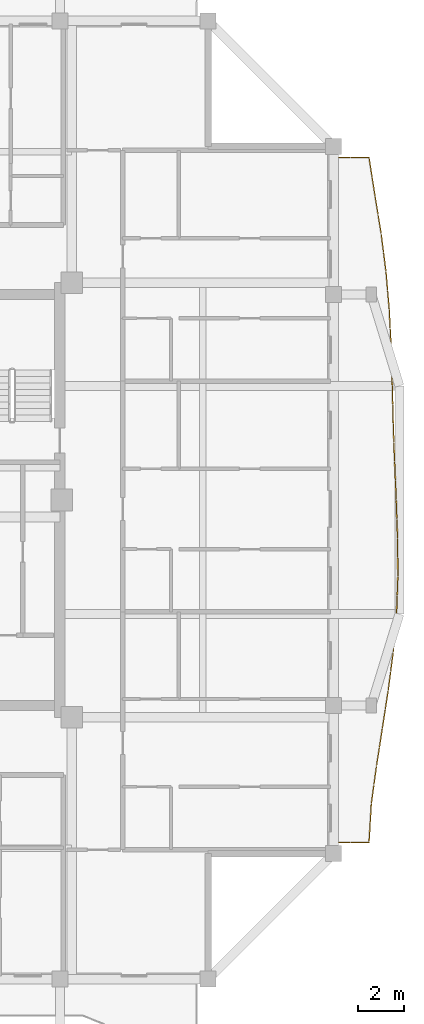
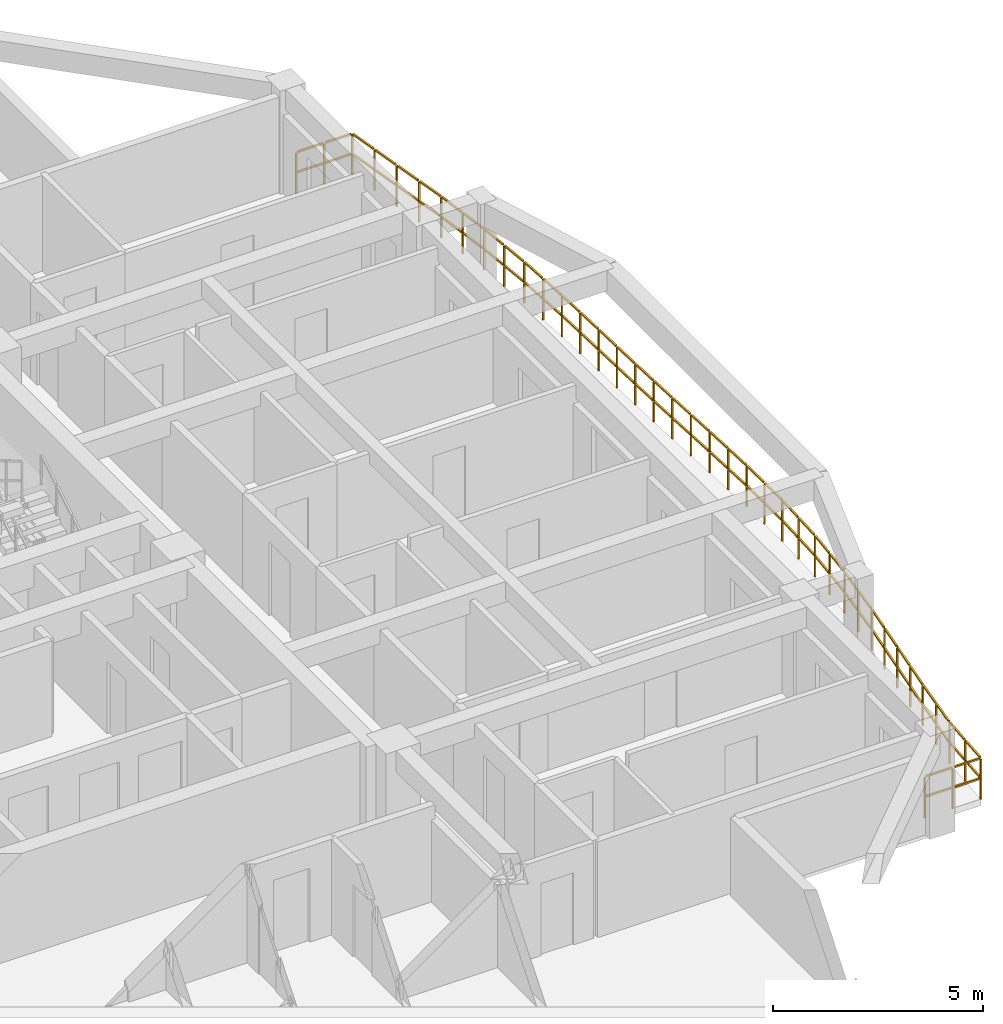
# One storey, part 13 of 14: 1 railing.
"""IFC4 building model written with IfcOpenShell, lengths in metres."""

from ifc_helpers import new_model, si_unit, direction, frame, origin, origin_2d, place, context, subcontext, project, spatial, rectangle, extrude, material, type_object, element, save


model = new_model("IFC4")

# Units and contexts
model_context = context("Model", 3, precision=1e-05, world=origin(), true_north=direction((0.0, 1.0)))
body_context = subcontext(model_context, "Body", "Model", "MODEL_VIEW")
ifc_project = project(units=[si_unit("LENGTHUNIT", "METRE"), si_unit("AREAUNIT", "SQUARE_METRE"), si_unit("VOLUMEUNIT", "CUBIC_METRE"), si_unit("PLANEANGLEUNIT", "RADIAN"), si_unit("MASSUNIT", "GRAM", prefix="KILO")], contexts=[model_context])

# Site, building, storey
site_placement = place(None, origin())
site = spatial("IfcSite", under=ifc_project, at=site_placement, CompositionType="ELEMENT")
building_placement = place(site_placement, origin())
building = spatial("IfcBuilding", under=site, at=building_placement, Name="Saelheon Loggia Tower", CompositionType="ELEMENT")
storey_placement = place(building_placement, frame((0.0, 0.0, 210.300048828125)))
storey = spatial("IfcBuildingStorey", under=building, at=storey_placement, Name="L65", CompositionType="ELEMENT", Elevation=210.300048828125)

# Railing
ifc_material = material(Name="Architectural Precast Concrete and Laminated Glass Guard", Category="concrete")
railing_type = type_object("IfcRailingType", Name="Guard_Loggia_RL_LOG", PredefinedType="BALUSTRADE", material=ifc_material)
railing_placement = place(storey_placement, frame((56.5, 12.0, 0.0)))
element("IfcRailing", 1, at=railing_placement, inside=storey, type_object=railing_type, Name="L65 East Loggia Balustrade", PredefinedType="BALUSTRADE", context=body_context, shape_type="SweptSolid", body=[
    extrude(rectangle(XDim=0.048095703125, YDim=0.048095703125, at=origin_2d()), frame((0.033203125, 0.0, 1.19580078125), z_axis=(1.0, 0.0, 0.0), x_axis=(0.0, 1.0, 0.0)), (0.0, 0.0, 1.0), 0.70849609375),
    extrude(rectangle(XDim=0.048095703125, YDim=0.048095703125, at=origin_2d()), frame((0.033203125, 0.0, 0.60986328125), z_axis=(1.0, 0.0, 0.0), x_axis=(0.0, 1.0, 0.0)), (0.0, 0.0, 1.0), 0.70849609375),
    extrude(rectangle(XDim=0.048095703125, YDim=0.048095703125, at=origin_2d()), frame((0.808349609375, 0.0, 1.19580078125), z_axis=(1.0, 0.0, 0.0), x_axis=(0.0, 1.0, 0.0)), (0.0, 0.0, 1.0), 0.70849609375),
    extrude(rectangle(XDim=0.048095703125, YDim=0.048095703125, at=origin_2d()), frame((0.808349609375, 0.0, 0.60986328125), z_axis=(1.0, 0.0, 0.0), x_axis=(0.0, 1.0, 0.0)), (0.0, 0.0, 1.0), 0.70849609375),
    extrude(rectangle(XDim=0.048095703125, YDim=0.048095703125, at=origin_2d()), frame((1.552001953125, 0.033203125, 1.19580078125), z_axis=(0.058490579202, 0.998287960533, 0.0), x_axis=(-0.998287960533, 0.058490579202, 0.0)), (0.0, 0.0, 1.0), 0.768310546875),
    extrude(rectangle(XDim=0.048095703125, YDim=0.048095703125, at=origin_2d()), frame((1.552001953125, 0.033203125, 0.60986328125), z_axis=(0.058490579202, 0.998287960533, 0.0), x_axis=(-0.998287960533, 0.058490579202, 0.0)), (0.0, 0.0, 1.0), 0.768310546875),
    extrude(rectangle(XDim=0.048095703125, YDim=0.048095703125, at=origin_2d()), frame((1.600830078125, 0.866455078125, 1.19580078125), z_axis=(0.058490579202, 0.998287960533, 0.0), x_axis=(-0.998287960533, 0.058490579202, 0.0)), (0.0, 0.0, 1.0), 0.768310546875),
    extrude(rectangle(XDim=0.048095703125, YDim=0.048095703125, at=origin_2d()), frame((1.600830078125, 0.866455078125, 0.60986328125), z_axis=(0.058490579202, 0.998287960533, 0.0), x_axis=(-0.998287960533, 0.058490579202, 0.0)), (0.0, 0.0, 1.0), 0.768310546875),
    extrude(rectangle(XDim=0.048095703125, YDim=0.048095703125, at=origin_2d()), frame((1.652099609375, 1.69970703125, 1.19580078125), z_axis=(0.13556658858, 0.990768237309, 0.0), x_axis=(-0.990768237309, 0.13556658858, 0.0)), (0.0, 0.0, 1.0), 0.774658203125),
    extrude(rectangle(XDim=0.048095703125, YDim=0.048095703125, at=origin_2d()), frame((1.652099609375, 1.69970703125, 0.60986328125), z_axis=(0.13556658858, 0.990768237309, 0.0), x_axis=(-0.990768237309, 0.13556658858, 0.0)), (0.0, 0.0, 1.0), 0.774658203125),
    extrude(rectangle(XDim=0.048095703125, YDim=0.048095703125, at=origin_2d()), frame((1.76611328125, 2.532958984375, 1.19580078125), z_axis=(0.13556658858, 0.990768237309, 0.0), x_axis=(-0.990768237309, 0.13556658858, 0.0)), (0.0, 0.0, 1.0), 0.774658203125),
    extrude(rectangle(XDim=0.048095703125, YDim=0.048095703125, at=origin_2d()), frame((1.76611328125, 2.532958984375, 0.60986328125), z_axis=(0.13556658858, 0.990768237309, 0.0), x_axis=(-0.990768237309, 0.13556658858, 0.0)), (0.0, 0.0, 1.0), 0.774658203125),
    extrude(rectangle(XDim=0.048095703125, YDim=0.048095703125, at=origin_2d()), frame((1.880859375, 3.3662109375, 1.19580078125), z_axis=(0.15356882512, 0.988137953907, 0.0), x_axis=(-0.988137953907, 0.15356882512, 0.0)), (0.0, 0.0, 1.0), 0.77685546875),
    extrude(rectangle(XDim=0.048095703125, YDim=0.048095703125, at=origin_2d()), frame((1.880859375, 3.3662109375, 0.60986328125), z_axis=(0.15356882512, 0.988137953907, 0.0), x_axis=(-0.988137953907, 0.15356882512, 0.0)), (0.0, 0.0, 1.0), 0.77685546875),
    extrude(rectangle(XDim=0.048095703125, YDim=0.048095703125, at=origin_2d()), frame((2.01025390625, 4.199462890625, 1.19580078125), z_axis=(0.15356882512, 0.988137953907, 0.0), x_axis=(-0.988137953907, 0.15356882512, 0.0)), (0.0, 0.0, 1.0), 0.77685546875),
    extrude(rectangle(XDim=0.048095703125, YDim=0.048095703125, at=origin_2d()), frame((2.01025390625, 4.199462890625, 0.60986328125), z_axis=(0.15356882512, 0.988137953907, 0.0), x_axis=(-0.988137953907, 0.15356882512, 0.0)), (0.0, 0.0, 1.0), 0.77685546875),
    extrude(rectangle(XDim=0.048095703125, YDim=0.048095703125, at=origin_2d()), frame((2.139892578125, 5.032958984375, 1.19580078125), z_axis=(0.152579310922, 0.988291229283, 0.0), x_axis=(-0.988291229283, 0.152579310922, 0.0)), (0.0, 0.0, 1.0), 0.77685546875),
    extrude(rectangle(XDim=0.048095703125, YDim=0.048095703125, at=origin_2d()), frame((2.139892578125, 5.032958984375, 0.60986328125), z_axis=(0.152579310922, 0.988291229283, 0.0), x_axis=(-0.988291229283, 0.152579310922, 0.0)), (0.0, 0.0, 1.0), 0.77685546875),
    extrude(rectangle(XDim=0.048095703125, YDim=0.048095703125, at=origin_2d()), frame((2.2685546875, 5.8662109375, 1.19580078125), z_axis=(0.152579310922, 0.988291229283, 0.0), x_axis=(-0.988291229283, 0.152579310922, 0.0)), (0.0, 0.0, 1.0), 0.77685546875),
    extrude(rectangle(XDim=0.048095703125, YDim=0.048095703125, at=origin_2d()), frame((2.2685546875, 5.8662109375, 0.60986328125), z_axis=(0.152579310922, 0.988291229283, 0.0), x_axis=(-0.988291229283, 0.152579310922, 0.0)), (0.0, 0.0, 1.0), 0.77685546875),
    extrude(rectangle(XDim=0.048095703125, YDim=0.048095703125, at=origin_2d()), frame((2.396484375, 6.69970703125, 1.19580078125), z_axis=(0.128718073228, 0.991681227827, 0.0), x_axis=(-0.991681227827, 0.128718073228, 0.0)), (0.0, 0.0, 1.0), 0.773681640625),
    extrude(rectangle(XDim=0.048095703125, YDim=0.048095703125, at=origin_2d()), frame((2.396484375, 6.69970703125, 0.60986328125), z_axis=(0.128718073228, 0.991681227827, 0.0), x_axis=(-0.991681227827, 0.128718073228, 0.0)), (0.0, 0.0, 1.0), 0.773681640625),
    extrude(rectangle(XDim=0.048095703125, YDim=0.048095703125, at=origin_2d()), frame((2.504638671875, 7.532958984375, 1.19580078125), z_axis=(0.128718073228, 0.991681227827, 0.0), x_axis=(-0.991681227827, 0.128718073228, 0.0)), (0.0, 0.0, 1.0), 0.773681640625),
    extrude(rectangle(XDim=0.048095703125, YDim=0.048095703125, at=origin_2d()), frame((2.504638671875, 7.532958984375, 0.60986328125), z_axis=(0.128718073228, 0.991681227827, 0.0), x_axis=(-0.991681227827, 0.128718073228, 0.0)), (0.0, 0.0, 1.0), 0.773681640625),
    extrude(rectangle(XDim=0.048095703125, YDim=0.048095703125, at=origin_2d()), frame((2.611328125, 8.366455078125, 1.19580078125), z_axis=(0.085810916516, 0.996311440568, 0.0), x_axis=(-0.996311440568, 0.085810916516, 0.0)), (0.0, 0.0, 1.0), 0.77001953125),
    extrude(rectangle(XDim=0.048095703125, YDim=0.048095703125, at=origin_2d()), frame((2.611328125, 8.366455078125, 0.60986328125), z_axis=(0.085810916516, 0.996311440568, 0.0), x_axis=(-0.996311440568, 0.085810916516, 0.0)), (0.0, 0.0, 1.0), 0.77001953125),
    extrude(rectangle(XDim=0.048095703125, YDim=0.048095703125, at=origin_2d()), frame((2.68310546875, 9.19970703125, 1.19580078125), z_axis=(0.085810916516, 0.996311440568, 0.0), x_axis=(-0.996311440568, 0.085810916516, 0.0)), (0.0, 0.0, 1.0), 0.77001953125),
    extrude(rectangle(XDim=0.048095703125, YDim=0.048095703125, at=origin_2d()), frame((2.68310546875, 9.19970703125, 0.60986328125), z_axis=(0.085810916516, 0.996311440568, 0.0), x_axis=(-0.996311440568, 0.085810916516, 0.0)), (0.0, 0.0, 1.0), 0.77001953125),
    extrude(rectangle(XDim=0.048095703125, YDim=0.048095703125, at=origin_2d()), frame((2.753173828125, 10.033203125, 1.19580078125), z_axis=(0.035132830873, 0.999382651538, 0.0), x_axis=(-0.999382651538, 0.035132830873, 0.0)), (0.0, 0.0, 1.0), 0.767333984375),
    extrude(rectangle(XDim=0.048095703125, YDim=0.048095703125, at=origin_2d()), frame((2.753173828125, 10.033203125, 0.60986328125), z_axis=(0.035132830873, 0.999382651538, 0.0), x_axis=(-0.999382651538, 0.035132830873, 0.0)), (0.0, 0.0, 1.0), 0.767333984375),
    extrude(rectangle(XDim=0.048095703125, YDim=0.048095703125, at=origin_2d()), frame((2.782470703125, 10.86669921875, 1.19580078125), z_axis=(0.035132830873, 0.999382651538, 0.0), x_axis=(-0.999382651538, 0.035132830873, 0.0)), (0.0, 0.0, 1.0), 0.767333984375),
    extrude(rectangle(XDim=0.048095703125, YDim=0.048095703125, at=origin_2d()), frame((2.782470703125, 10.86669921875, 0.60986328125), z_axis=(0.035132830873, 0.999382651538, 0.0), x_axis=(-0.999382651538, 0.035132830873, 0.0)), (0.0, 0.0, 1.0), 0.767333984375),
    extrude(rectangle(XDim=0.048095703125, YDim=0.048095703125, at=origin_2d()), frame((2.810302734375, 11.699951171875, 1.19580078125), z_axis=(-0.008496616815, 0.9999639031, 0.0), x_axis=(-0.9999639031, -0.008496616815, 0.0)), (0.0, 0.0, 1.0), 0.766845703125),
    extrude(rectangle(XDim=0.048095703125, YDim=0.048095703125, at=origin_2d()), frame((2.810302734375, 11.699951171875, 0.60986328125), z_axis=(-0.008496616815, 0.9999639031, 0.0), x_axis=(-0.9999639031, -0.008496616815, 0.0)), (0.0, 0.0, 1.0), 0.766845703125),
    extrude(rectangle(XDim=0.048095703125, YDim=0.048095703125, at=origin_2d()), frame((2.80322265625, 12.533203125, 1.19580078125), z_axis=(-0.008496616815, 0.9999639031, 0.0), x_axis=(-0.9999639031, -0.008496616815, 0.0)), (0.0, 0.0, 1.0), 0.766845703125),
    extrude(rectangle(XDim=0.048095703125, YDim=0.048095703125, at=origin_2d()), frame((2.80322265625, 12.533203125, 0.60986328125), z_axis=(-0.008496616815, 0.9999639031, 0.0), x_axis=(-0.9999639031, -0.008496616815, 0.0)), (0.0, 0.0, 1.0), 0.766845703125),
    extrude(rectangle(XDim=0.048095703125, YDim=0.048095703125, at=origin_2d()), frame((2.795166015625, 13.366455078125, 1.19580078125), z_axis=(-0.035132830873, 0.999382651538, 0.0), x_axis=(-0.999382651538, -0.035132830873, 0.0)), (0.0, 0.0, 1.0), 0.767333984375),
    extrude(rectangle(XDim=0.048095703125, YDim=0.048095703125, at=origin_2d()), frame((2.795166015625, 13.366455078125, 0.60986328125), z_axis=(-0.035132830873, 0.999382651538, 0.0), x_axis=(-0.999382651538, -0.035132830873, 0.0)), (0.0, 0.0, 1.0), 0.767333984375),
    extrude(rectangle(XDim=0.048095703125, YDim=0.048095703125, at=origin_2d()), frame((2.765869140625, 14.199951171875, 1.19580078125), z_axis=(-0.035132830873, 0.999382651538, 0.0), x_axis=(-0.999382651538, -0.035132830873, 0.0)), (0.0, 0.0, 1.0), 0.767333984375),
    extrude(rectangle(XDim=0.048095703125, YDim=0.048095703125, at=origin_2d()), frame((2.765869140625, 14.199951171875, 0.60986328125), z_axis=(-0.035132830873, 0.999382651538, 0.0), x_axis=(-0.999382651538, -0.035132830873, 0.0)), (0.0, 0.0, 1.0), 0.767333984375),
    extrude(rectangle(XDim=0.048095703125, YDim=0.048095703125, at=origin_2d()), frame((2.736328125, 15.033203125, 1.19580078125), z_axis=(-0.041563583491, 0.999135860895, 0.0), x_axis=(-0.999135860895, -0.041563583491, 0.0)), (0.0, 0.0, 1.0), 0.767578125),
    extrude(rectangle(XDim=0.048095703125, YDim=0.048095703125, at=origin_2d()), frame((2.736328125, 15.033203125, 0.60986328125), z_axis=(-0.041563583491, 0.999135860895, 0.0), x_axis=(-0.999135860895, -0.041563583491, 0.0)), (0.0, 0.0, 1.0), 0.767578125),
    extrude(rectangle(XDim=0.048095703125, YDim=0.048095703125, at=origin_2d()), frame((2.70166015625, 15.86669921875, 1.19580078125), z_axis=(-0.041563583491, 0.999135860895, 0.0), x_axis=(-0.999135860895, -0.041563583491, 0.0)), (0.0, 0.0, 1.0), 0.767578125),
    extrude(rectangle(XDim=0.048095703125, YDim=0.048095703125, at=origin_2d()), frame((2.70166015625, 15.86669921875, 0.60986328125), z_axis=(-0.041563583491, 0.999135860895, 0.0), x_axis=(-0.999135860895, -0.041563583491, 0.0)), (0.0, 0.0, 1.0), 0.767578125),
    extrude(rectangle(XDim=0.048095703125, YDim=0.048095703125, at=origin_2d()), frame((2.667236328125, 16.699951171875, 1.19580078125), z_axis=(-0.034699278976, 0.999397798696, 0.0), x_axis=(-0.999397798696, -0.034699278976, 0.0)), (0.0, 0.0, 1.0), 0.767333984375),
    extrude(rectangle(XDim=0.048095703125, YDim=0.048095703125, at=origin_2d()), frame((2.667236328125, 16.699951171875, 0.60986328125), z_axis=(-0.034699278976, 0.999397798696, 0.0), x_axis=(-0.999397798696, -0.034699278976, 0.0)), (0.0, 0.0, 1.0), 0.767333984375),
    extrude(rectangle(XDim=0.048095703125, YDim=0.048095703125, at=origin_2d()), frame((2.638427734375, 17.533203125, 1.19580078125), z_axis=(-0.034699278976, 0.999397798696, 0.0), x_axis=(-0.999397798696, -0.034699278976, 0.0)), (0.0, 0.0, 1.0), 0.767333984375),
    extrude(rectangle(XDim=0.048095703125, YDim=0.048095703125, at=origin_2d()), frame((2.638427734375, 17.533203125, 0.60986328125), z_axis=(-0.034699278976, 0.999397798696, 0.0), x_axis=(-0.999397798696, -0.034699278976, 0.0)), (0.0, 0.0, 1.0), 0.767333984375),
    extrude(rectangle(XDim=0.048095703125, YDim=0.048095703125, at=origin_2d()), frame((2.609619140625, 18.366455078125, 1.19580078125), z_axis=(-0.026503064378, 0.999648732095, 0.0), x_axis=(-0.999648732095, -0.026503064378, 0.0)), (0.0, 0.0, 1.0), 0.76708984375),
    extrude(rectangle(XDim=0.048095703125, YDim=0.048095703125, at=origin_2d()), frame((2.609619140625, 18.366455078125, 0.60986328125), z_axis=(-0.026503064378, 0.999648732095, 0.0), x_axis=(-0.999648732095, -0.026503064378, 0.0)), (0.0, 0.0, 1.0), 0.76708984375),
    extrude(rectangle(XDim=0.048095703125, YDim=0.048095703125, at=origin_2d()), frame((2.587646484375, 19.199951171875, 1.19580078125), z_axis=(-0.026503064378, 0.999648732095, 0.0), x_axis=(-0.999648732095, -0.026503064378, 0.0)), (0.0, 0.0, 1.0), 0.76708984375),
    extrude(rectangle(XDim=0.048095703125, YDim=0.048095703125, at=origin_2d()), frame((2.587646484375, 19.199951171875, 0.60986328125), z_axis=(-0.026503064378, 0.999648732095, 0.0), x_axis=(-0.999648732095, -0.026503064378, 0.0)), (0.0, 0.0, 1.0), 0.76708984375),
    extrude(rectangle(XDim=0.048095703125, YDim=0.048095703125, at=origin_2d()), frame((2.5654296875, 20.033203125, 1.19580078125), z_axis=(-0.028990300161, 0.999579692919, 0.0), x_axis=(-0.999579692919, -0.028990300161, 0.0)), (0.0, 0.0, 1.0), 0.767333984375),
    extrude(rectangle(XDim=0.048095703125, YDim=0.048095703125, at=origin_2d()), frame((2.5654296875, 20.033203125, 0.60986328125), z_axis=(-0.028990300161, 0.999579692919, 0.0), x_axis=(-0.999579692919, -0.028990300161, 0.0)), (0.0, 0.0, 1.0), 0.767333984375),
    extrude(rectangle(XDim=0.048095703125, YDim=0.048095703125, at=origin_2d()), frame((2.541259765625, 20.86669921875, 1.19580078125), z_axis=(-0.028990300161, 0.999579692919, 0.0), x_axis=(-0.999579692919, -0.028990300161, 0.0)), (0.0, 0.0, 1.0), 0.767333984375),
    extrude(rectangle(XDim=0.048095703125, YDim=0.048095703125, at=origin_2d()), frame((2.541259765625, 20.86669921875, 0.60986328125), z_axis=(-0.028990300161, 0.999579692919, 0.0), x_axis=(-0.999579692919, -0.028990300161, 0.0)), (0.0, 0.0, 1.0), 0.767333984375),
    extrude(rectangle(XDim=0.048095703125, YDim=0.048095703125, at=origin_2d()), frame((2.516357421875, 21.699951171875, 1.19580078125), z_axis=(-0.049164031817, 0.998790717806, 0.0), x_axis=(-0.998790717806, -0.049164031817, 0.0)), (0.0, 0.0, 1.0), 0.767822265625),
    extrude(rectangle(XDim=0.048095703125, YDim=0.048095703125, at=origin_2d()), frame((2.516357421875, 21.699951171875, 0.60986328125), z_axis=(-0.049164031817, 0.998790717806, 0.0), x_axis=(-0.998790717806, -0.049164031817, 0.0)), (0.0, 0.0, 1.0), 0.767822265625),
    extrude(rectangle(XDim=0.048095703125, YDim=0.048095703125, at=origin_2d()), frame((2.475341796875, 22.533203125, 1.19580078125), z_axis=(-0.049164031817, 0.998790717806, 0.0), x_axis=(-0.998790717806, -0.049164031817, 0.0)), (0.0, 0.0, 1.0), 0.767822265625),
    extrude(rectangle(XDim=0.048095703125, YDim=0.048095703125, at=origin_2d()), frame((2.475341796875, 22.533203125, 0.60986328125), z_axis=(-0.049164031817, 0.998790717806, 0.0), x_axis=(-0.998790717806, -0.049164031817, 0.0)), (0.0, 0.0, 1.0), 0.767822265625),
    extrude(rectangle(XDim=0.048095703125, YDim=0.048095703125, at=origin_2d()), frame((2.43310546875, 23.366455078125, 1.19580078125), z_axis=(-0.085086537051, 0.996373565091, 0.0), x_axis=(-0.996373565091, -0.085086537051, 0.0)), (0.0, 0.0, 1.0), 0.77001953125),
    extrude(rectangle(XDim=0.048095703125, YDim=0.048095703125, at=origin_2d()), frame((2.43310546875, 23.366455078125, 0.60986328125), z_axis=(-0.085086537051, 0.996373565091, 0.0), x_axis=(-0.996373565091, -0.085086537051, 0.0)), (0.0, 0.0, 1.0), 0.77001953125),
    extrude(rectangle(XDim=0.048095703125, YDim=0.048095703125, at=origin_2d()), frame((2.362060546875, 24.19970703125, 1.19580078125), z_axis=(-0.085086537051, 0.996373565091, 0.0), x_axis=(-0.996373565091, -0.085086537051, 0.0)), (0.0, 0.0, 1.0), 0.77001953125),
    extrude(rectangle(XDim=0.048095703125, YDim=0.048095703125, at=origin_2d()), frame((2.362060546875, 24.19970703125, 0.60986328125), z_axis=(-0.085086537051, 0.996373565091, 0.0), x_axis=(-0.996373565091, -0.085086537051, 0.0)), (0.0, 0.0, 1.0), 0.77001953125),
    extrude(rectangle(XDim=0.048095703125, YDim=0.048095703125, at=origin_2d()), frame((2.28955078125, 25.032958984375, 1.19580078125), z_axis=(-0.126555838779, 0.991959484894, 0.0), x_axis=(-0.991959484894, -0.126555838779, 0.0)), (0.0, 0.0, 1.0), 0.773681640625),
    extrude(rectangle(XDim=0.048095703125, YDim=0.048095703125, at=origin_2d()), frame((2.28955078125, 25.032958984375, 0.60986328125), z_axis=(-0.126555838779, 0.991959484894, 0.0), x_axis=(-0.991959484894, -0.126555838779, 0.0)), (0.0, 0.0, 1.0), 0.773681640625),
    extrude(rectangle(XDim=0.048095703125, YDim=0.048095703125, at=origin_2d()), frame((2.18310546875, 25.866455078125, 1.19580078125), z_axis=(-0.126555838779, 0.991959484894, 0.0), x_axis=(-0.991959484894, -0.126555838779, 0.0)), (0.0, 0.0, 1.0), 0.773681640625),
    extrude(rectangle(XDim=0.048095703125, YDim=0.048095703125, at=origin_2d()), frame((2.18310546875, 25.866455078125, 0.60986328125), z_axis=(-0.126555838779, 0.991959484894, 0.0), x_axis=(-0.991959484894, -0.126555838779, 0.0)), (0.0, 0.0, 1.0), 0.773681640625),
    extrude(rectangle(XDim=0.048095703125, YDim=0.048095703125, at=origin_2d()), frame((2.07568359375, 26.699462890625, 1.19580078125), z_axis=(-0.160364370731, 0.987057885131, 0.0), x_axis=(-0.987057885131, -0.160364370731, 0.0)), (0.0, 0.0, 1.0), 0.777587890625),
    extrude(rectangle(XDim=0.048095703125, YDim=0.048095703125, at=origin_2d()), frame((2.07568359375, 26.699462890625, 0.60986328125), z_axis=(-0.160364370731, 0.987057885131, 0.0), x_axis=(-0.987057885131, -0.160364370731, 0.0)), (0.0, 0.0, 1.0), 0.777587890625),
    extrude(rectangle(XDim=0.048095703125, YDim=0.048095703125, at=origin_2d()), frame((1.9404296875, 27.53271484375, 1.19580078125), z_axis=(-0.160364370731, 0.987057885131, 0.0), x_axis=(-0.987057885131, -0.160364370731, 0.0)), (0.0, 0.0, 1.0), 0.777587890625),
    extrude(rectangle(XDim=0.048095703125, YDim=0.048095703125, at=origin_2d()), frame((1.9404296875, 27.53271484375, 0.60986328125), z_axis=(-0.160364370731, 0.987057885131, 0.0), x_axis=(-0.987057885131, -0.160364370731, 0.0)), (0.0, 0.0, 1.0), 0.777587890625),
    extrude(rectangle(XDim=0.048095703125, YDim=0.048095703125, at=origin_2d()), frame((1.80517578125, 28.365966796875, 1.19580078125), z_axis=(-0.154275338413, 0.988027894322, 0.0), x_axis=(-0.988027894322, -0.154275338413, 0.0)), (0.0, 0.0, 1.0), 0.777099609375),
    extrude(rectangle(XDim=0.048095703125, YDim=0.048095703125, at=origin_2d()), frame((1.80517578125, 28.365966796875, 0.60986328125), z_axis=(-0.154275338413, 0.988027894322, 0.0), x_axis=(-0.988027894322, -0.154275338413, 0.0)), (0.0, 0.0, 1.0), 0.777099609375),
    extrude(rectangle(XDim=0.048095703125, YDim=0.048095703125, at=origin_2d()), frame((1.675048828125, 29.199462890625, 1.19580078125), z_axis=(-0.154275338413, 0.988027894322, 0.0), x_axis=(-0.988027894322, -0.154275338413, 0.0)), (0.0, 0.0, 1.0), 0.777099609375),
    extrude(rectangle(XDim=0.048095703125, YDim=0.048095703125, at=origin_2d()), frame((1.675048828125, 29.199462890625, 0.60986328125), z_axis=(-0.154275338413, 0.988027894322, 0.0), x_axis=(-0.988027894322, -0.154275338413, 0.0)), (0.0, 0.0, 1.0), 0.777099609375),
    extrude(rectangle(XDim=0.048095703125, YDim=0.048095703125, at=origin_2d()), frame((1.516845703125, 30.0, 1.19580078125), z_axis=(-1.0, 0.0, 0.0), x_axis=(0.0, -1.0, 0.0)), (0.0, 0.0, 1.0), 0.70849609375),
    extrude(rectangle(XDim=0.048095703125, YDim=0.048095703125, at=origin_2d()), frame((1.516845703125, 30.0, 0.60986328125), z_axis=(-1.0, 0.0, 0.0), x_axis=(0.0, -1.0, 0.0)), (0.0, 0.0, 1.0), 0.70849609375),
    extrude(rectangle(XDim=0.048095703125, YDim=0.048095703125, at=origin_2d()), frame((0.74169921875, 30.0, 1.19580078125), z_axis=(-1.0, 0.0, 0.0), x_axis=(0.0, -1.0, 0.0)), (0.0, 0.0, 1.0), 0.70849609375),
    extrude(rectangle(XDim=0.048095703125, YDim=0.048095703125, at=origin_2d()), frame((0.74169921875, 30.0, 0.60986328125), z_axis=(-1.0, 0.0, 0.0), x_axis=(0.0, -1.0, 0.0)), (0.0, 0.0, 1.0), 0.70849609375),
    extrude(rectangle(XDim=0.0419921875, YDim=0.0419921875, at=origin_2d()), origin(), (0.0, 0.0, 1.0), 1.16796875),
    extrude(rectangle(XDim=0.0419921875, YDim=0.0419921875, at=origin_2d()), frame((0.77490234375, 0.0, 0.0)), (0.0, 0.0, 1.0), 1.16796875),
    extrude(rectangle(XDim=0.0419921875, YDim=0.0419921875, at=origin_2d()), frame((1.550048828125, 0.0, 0.0)), (0.0, 0.0, 1.0), 1.16796875),
    extrude(rectangle(XDim=0.0419921875, YDim=0.0419921875, at=origin_2d()), frame((1.598876953125, 0.83349609375, 0.0)), (0.0, 0.0, 1.0), 1.16796875),
    extrude(rectangle(XDim=0.0419921875, YDim=0.0419921875, at=origin_2d()), frame((1.647705078125, 1.666748046875, 0.0)), (0.0, 0.0, 1.0), 1.16796875),
    extrude(rectangle(XDim=0.0419921875, YDim=0.0419921875, at=origin_2d()), frame((1.76171875, 2.5, 0.0)), (0.0, 0.0, 1.0), 1.16796875),
    extrude(rectangle(XDim=0.0419921875, YDim=0.0419921875, at=origin_2d()), frame((1.875732421875, 3.333251953125, 0.0)), (0.0, 0.0, 1.0), 1.16796875),
    extrude(rectangle(XDim=0.0419921875, YDim=0.0419921875, at=origin_2d()), frame((2.00537109375, 4.16650390625, 0.0)), (0.0, 0.0, 1.0), 1.16796875),
    extrude(rectangle(XDim=0.0419921875, YDim=0.0419921875, at=origin_2d()), frame((2.134765625, 5.0, 0.0)), (0.0, 0.0, 1.0), 1.16796875),
    extrude(rectangle(XDim=0.0419921875, YDim=0.0419921875, at=origin_2d()), frame((2.263427734375, 5.83349609375, 0.0)), (0.0, 0.0, 1.0), 1.16796875),
    extrude(rectangle(XDim=0.0419921875, YDim=0.0419921875, at=origin_2d()), frame((2.39208984375, 6.666748046875, 0.0)), (0.0, 0.0, 1.0), 1.16796875),
    extrude(rectangle(XDim=0.0419921875, YDim=0.0419921875, at=origin_2d()), frame((2.500244140625, 7.5, 0.0)), (0.0, 0.0, 1.0), 1.16796875),
    extrude(rectangle(XDim=0.0419921875, YDim=0.0419921875, at=origin_2d()), frame((2.6083984375, 8.333251953125, 0.0)), (0.0, 0.0, 1.0), 1.16796875),
    extrude(rectangle(XDim=0.0419921875, YDim=0.0419921875, at=origin_2d()), frame((2.68017578125, 9.16650390625, 0.0)), (0.0, 0.0, 1.0), 1.16796875),
    extrude(rectangle(XDim=0.0419921875, YDim=0.0419921875, at=origin_2d()), frame((2.751953125, 10.0, 0.0)), (0.0, 0.0, 1.0), 1.16796875),
    extrude(rectangle(XDim=0.0419921875, YDim=0.0419921875, at=origin_2d()), frame((2.78125, 10.83349609375, 0.0)), (0.0, 0.0, 1.0), 1.16796875),
    extrude(rectangle(XDim=0.0419921875, YDim=0.0419921875, at=origin_2d()), frame((2.810546875, 11.666748046875, 0.0)), (0.0, 0.0, 1.0), 1.16796875),
    extrude(rectangle(XDim=0.0419921875, YDim=0.0419921875, at=origin_2d()), frame((2.803466796875, 12.5, 0.0)), (0.0, 0.0, 1.0), 1.16796875),
    extrude(rectangle(XDim=0.0419921875, YDim=0.0419921875, at=origin_2d()), frame((2.79638671875, 13.333251953125, 0.0)), (0.0, 0.0, 1.0), 1.16796875),
    extrude(rectangle(XDim=0.0419921875, YDim=0.0419921875, at=origin_2d()), frame((2.76708984375, 14.16650390625, 0.0)), (0.0, 0.0, 1.0), 1.16796875),
    extrude(rectangle(XDim=0.0419921875, YDim=0.0419921875, at=origin_2d()), frame((2.73779296875, 15.0, 0.0)), (0.0, 0.0, 1.0), 1.16796875),
    extrude(rectangle(XDim=0.0419921875, YDim=0.0419921875, at=origin_2d()), frame((2.703125, 15.83349609375, 0.0)), (0.0, 0.0, 1.0), 1.16796875),
    extrude(rectangle(XDim=0.0419921875, YDim=0.0419921875, at=origin_2d()), frame((2.66845703125, 16.666748046875, 0.0)), (0.0, 0.0, 1.0), 1.16796875),
    extrude(rectangle(XDim=0.0419921875, YDim=0.0419921875, at=origin_2d()), frame((2.6396484375, 17.5, 0.0)), (0.0, 0.0, 1.0), 1.16796875),
    extrude(rectangle(XDim=0.0419921875, YDim=0.0419921875, at=origin_2d()), frame((2.610595703125, 18.333251953125, 0.0)), (0.0, 0.0, 1.0), 1.16796875),
    extrude(rectangle(XDim=0.0419921875, YDim=0.0419921875, at=origin_2d()), frame((2.58837890625, 19.16650390625, 0.0)), (0.0, 0.0, 1.0), 1.16796875),
    extrude(rectangle(XDim=0.0419921875, YDim=0.0419921875, at=origin_2d()), frame((2.56640625, 20.0, 0.0)), (0.0, 0.0, 1.0), 1.16796875),
    extrude(rectangle(XDim=0.0419921875, YDim=0.0419921875, at=origin_2d()), frame((2.542236328125, 20.83349609375, 0.0)), (0.0, 0.0, 1.0), 1.16796875),
    extrude(rectangle(XDim=0.0419921875, YDim=0.0419921875, at=origin_2d()), frame((2.51806640625, 21.666748046875, 0.0)), (0.0, 0.0, 1.0), 1.16796875),
    extrude(rectangle(XDim=0.0419921875, YDim=0.0419921875, at=origin_2d()), frame((2.47705078125, 22.5, 0.0)), (0.0, 0.0, 1.0), 1.16796875),
    extrude(rectangle(XDim=0.0419921875, YDim=0.0419921875, at=origin_2d()), frame((2.43603515625, 23.333251953125, 0.0)), (0.0, 0.0, 1.0), 1.16796875),
    extrude(rectangle(XDim=0.0419921875, YDim=0.0419921875, at=origin_2d()), frame((2.36474609375, 24.16650390625, 0.0)), (0.0, 0.0, 1.0), 1.16796875),
    extrude(rectangle(XDim=0.0419921875, YDim=0.0419921875, at=origin_2d()), frame((2.293701171875, 25.0, 0.0)), (0.0, 0.0, 1.0), 1.16796875),
    extrude(rectangle(XDim=0.0419921875, YDim=0.0419921875, at=origin_2d()), frame((2.1875, 25.83349609375, 0.0)), (0.0, 0.0, 1.0), 1.16796875),
    extrude(rectangle(XDim=0.0419921875, YDim=0.0419921875, at=origin_2d()), frame((2.0810546875, 26.666748046875, 0.0)), (0.0, 0.0, 1.0), 1.16796875),
    extrude(rectangle(XDim=0.0419921875, YDim=0.0419921875, at=origin_2d()), frame((1.94580078125, 27.5, 0.0)), (0.0, 0.0, 1.0), 1.16796875),
    extrude(rectangle(XDim=0.0419921875, YDim=0.0419921875, at=origin_2d()), frame((1.810302734375, 28.333251953125, 0.0)), (0.0, 0.0, 1.0), 1.16796875),
    extrude(rectangle(XDim=0.0419921875, YDim=0.0419921875, at=origin_2d()), frame((1.68017578125, 29.16650390625, 0.0)), (0.0, 0.0, 1.0), 1.16796875),
    extrude(rectangle(XDim=0.0419921875, YDim=0.0419921875, at=origin_2d()), frame((1.550048828125, 30.0, 0.0)), (0.0, 0.0, 1.0), 1.16796875),
    extrude(rectangle(XDim=0.0419921875, YDim=0.0419921875, at=origin_2d()), frame((0.77490234375, 30.0, 0.0)), (0.0, 0.0, 1.0), 1.16796875),
    extrude(rectangle(XDim=0.0419921875, YDim=0.0419921875, at=origin_2d()), frame((0.0, 30.0, 0.0)), (0.0, 0.0, 1.0), 1.16796875),
])

save(model, "model.ifc")
